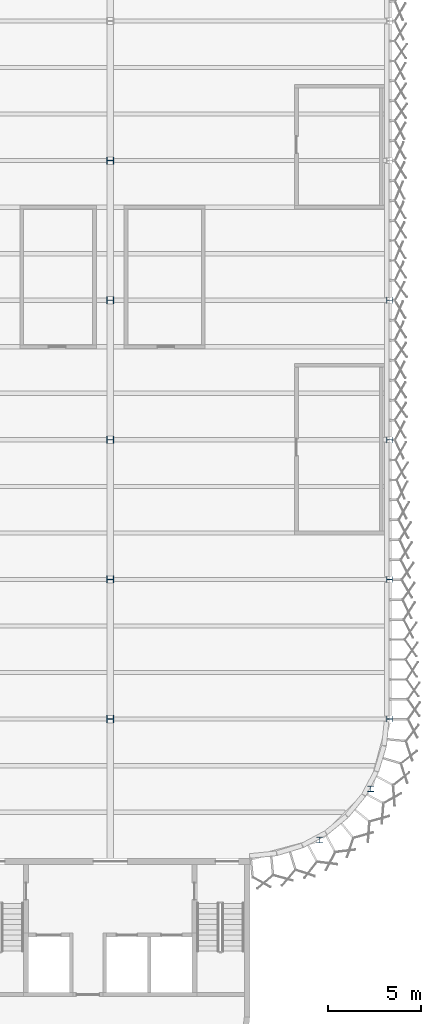
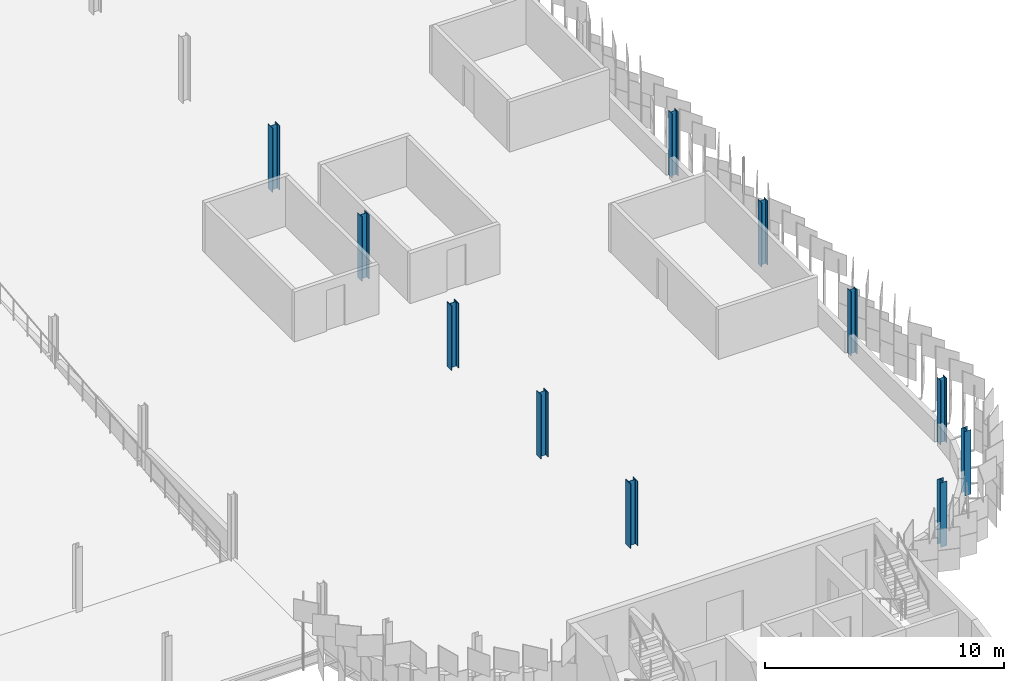
# One storey, part 17 of 198: 11 columns.
"""IFC4 building model written with IfcOpenShell, lengths in metres."""

from ifc_helpers import new_model, si_unit, direction, frame, origin, origin_2d, place, context, subcontext, project, spatial, i_section, extrude, material, material_profile, profile_set, type_object, element, save


model = new_model("IFC4")

# Units and contexts
model_context = context("Model", 3, precision=1e-05, world=origin(), true_north=direction((0.0, 1.0)))
body_context = subcontext(model_context, "Body", "Model", "MODEL_VIEW")
ifc_project = project(units=[si_unit("LENGTHUNIT", "METRE"), si_unit("AREAUNIT", "SQUARE_METRE"), si_unit("VOLUMEUNIT", "CUBIC_METRE"), si_unit("PLANEANGLEUNIT", "RADIAN"), si_unit("MASSUNIT", "GRAM", prefix="KILO")], contexts=[model_context])

# Site, building, storey
site_placement = place(None, origin())
site = spatial("IfcSite", under=ifc_project, at=site_placement, CompositionType="ELEMENT")
building_placement = place(site_placement, origin())
building = spatial("IfcBuilding", under=site, at=building_placement, Name="Parallax Yard Mobility Hub", CompositionType="ELEMENT")
storey_placement = place(building_placement, frame((0.0, 0.0, 6.60009765625)))
storey = spatial("IfcBuildingStorey", under=building, at=storey_placement, Name="L02", CompositionType="ELEMENT", Elevation=6.60009765625)

# Columns
ifc_material = material(Name="Steel ASTM A992", Category="steel")
ifc_material_profile_1 = material_profile(ifc_material, i_section(OverallWidth=0.306884765625, OverallDepth=0.318115234375, WebThickness=0.01318359375, FlangeThickness=0.0205078125, FilletRadius=0.01513671875, at=origin_2d()), Name="W310x129")
ifc_profile_set_1 = profile_set([ifc_material_profile_1], Name="Steel ASTM A992")
column_type_1 = type_object("IfcColumnType", Name="W310x129 column", PredefinedType="COLUMN", material=ifc_profile_set_1)
column_1_placement = place(storey_placement, frame((225.0, 30.0, 0.0), z_axis=(0.0, 0.0, 1.0), x_axis=(0.0, 1.0, 0.0)))
element("IfcColumn", 1, at=column_1_placement, inside=storey, type_object=column_type_1, Name="Column C3 level L02 at E/31 of ramped parking decks", PredefinedType="COLUMN", context=body_context, shape_type="SweptSolid", body=[
    extrude(i_section(OverallWidth=0.306884765625, OverallDepth=0.318115234375, WebThickness=0.01318359375, FlangeThickness=0.0205078125, FilletRadius=0.01513671875, at=origin_2d()), origin(), (0.0, 0.0, 1.0), 3.2998046875),
])
ifc_material_profile_2 = material_profile(ifc_material, i_section(OverallWidth=0.304931640625, OverallDepth=0.306884765625, WebThickness=0.010009765625, FlangeThickness=0.015380859375, FilletRadius=0.01513671875, at=origin_2d()), Name="W310x97")
ifc_profile_set_2 = profile_set([ifc_material_profile_2], Name="Steel ASTM A992")
column_type_2 = type_object("IfcColumnType", Name="W310x97 column", PredefinedType="COLUMN", material=ifc_profile_set_2)
for number, where, z_axis, x_axis, name in (
    (2, (225.0, 52.5, 0.0), (0.0, 0.0, 1.0), (0.0, 1.0, 0.0), "Column C1 level L02 at H/31 of ramped parking decks"),
    (3, (225.0, 45.0, 0.0), (0.0, 0.0, 1.0), (0.0, 1.0, 0.0), "Column C1 level L02 at G/31 of ramped parking decks"),
    (4, (225.0, 37.5, 0.0), (0.0, 0.0, 1.0), (0.0, 1.0, 0.0), "Column C1 level L02 at F/31 of ramped parking decks"),
    (5, (221.25, 23.5048828125, 0.0), (0.0, 0.0, 1.0), (1.0, 0.0, 0.0), "Column C1 level L02 at S-E1 of ramped parking decks"),
    (6, (223.9951171875, 26.25, 0.0), (0.0, 0.0, 1.0), (1.0, 0.0, 0.0), "Column C1 level L02 at S-E2 of ramped parking decks"),
):
    element("IfcColumn", number, at=place(storey_placement, frame(where, z_axis=z_axis, x_axis=x_axis)), inside=storey, type_object=column_type_2, Name=name, PredefinedType="COLUMN", context=body_context, shape_type="SweptSolid", body=[
        extrude(i_section(OverallWidth=0.304931640625, OverallDepth=0.306884765625, WebThickness=0.010009765625, FlangeThickness=0.015380859375, FilletRadius=0.01513671875, at=origin_2d()), origin(), (0.0, 0.0, 1.0), 3.2998046875),
    ])
ifc_material_profile_3 = material_profile(ifc_material, i_section(OverallWidth=0.373046875, OverallDepth=0.367919921875, WebThickness=0.014892578125, FlangeThickness=0.02392578125, FilletRadius=0.01513671875, at=origin_2d()), Name="W360x179")
ifc_profile_set_3 = profile_set([ifc_material_profile_3], Name="Steel ASTM A992")
column_type_3 = type_object("IfcColumnType", Name="W360x179 column", PredefinedType="COLUMN", material=ifc_profile_set_3)
for number, where, z_axis, x_axis, name in (
    (7, (210.0, 60.0, 0.0), (0.0, 0.0, 1.0), (0.0, 1.0, 0.0), "Column C7 level L02 at J/29 of ramped parking decks"),
    (8, (210.0, 52.5, 0.0), (0.0, 0.0, 1.0), (0.0, 1.0, 0.0), "Column C7 level L02 at H/29 of ramped parking decks"),
    (9, (210.0, 45.0, 0.0), (0.0, 0.0, 1.0), (0.0, 1.0, 0.0), "Column C7 level L02 at G/29 of ramped parking decks"),
    (10, (210.0, 37.5, 0.0), (0.0, 0.0, 1.0), (0.0, 1.0, 0.0), "Column C7 level L02 at F/29 of ramped parking decks"),
):
    element("IfcColumn", number, at=place(storey_placement, frame(where, z_axis=z_axis, x_axis=x_axis)), inside=storey, type_object=column_type_3, Name=name, PredefinedType="COLUMN", context=body_context, shape_type="SweptSolid", body=[
        extrude(i_section(OverallWidth=0.373046875, OverallDepth=0.367919921875, WebThickness=0.014892578125, FlangeThickness=0.02392578125, FilletRadius=0.01513671875, at=origin_2d()), origin(), (0.0, 0.0, 1.0), 3.2998046875),
    ])
ifc_material_profile_4 = material_profile(ifc_material, i_section(OverallWidth=0.39599609375, OverallDepth=0.381103515625, WebThickness=0.018798828125, FlangeThickness=0.0302734375, FilletRadius=0.015380859375, at=origin_2d()), Name="W360x237")
ifc_profile_set_4 = profile_set([ifc_material_profile_4], Name="Steel ASTM A992")
column_type_4 = type_object("IfcColumnType", Name="W360x237 column", PredefinedType="COLUMN", material=ifc_profile_set_4)
column_2_placement = place(storey_placement, frame((210.0, 30.0, 0.0), z_axis=(0.0, 0.0, 1.0), x_axis=(0.0, 1.0, 0.0)))
element("IfcColumn", 11, at=column_2_placement, inside=storey, type_object=column_type_4, Name="Column C10 level L02 at E/29 of ramped parking decks", PredefinedType="COLUMN", context=body_context, shape_type="SweptSolid", body=[
    extrude(i_section(OverallWidth=0.39599609375, OverallDepth=0.381103515625, WebThickness=0.018798828125, FlangeThickness=0.0302734375, FilletRadius=0.015380859375, at=origin_2d()), origin(), (0.0, 0.0, 1.0), 3.2998046875),
])

save(model, "model.ifc")
